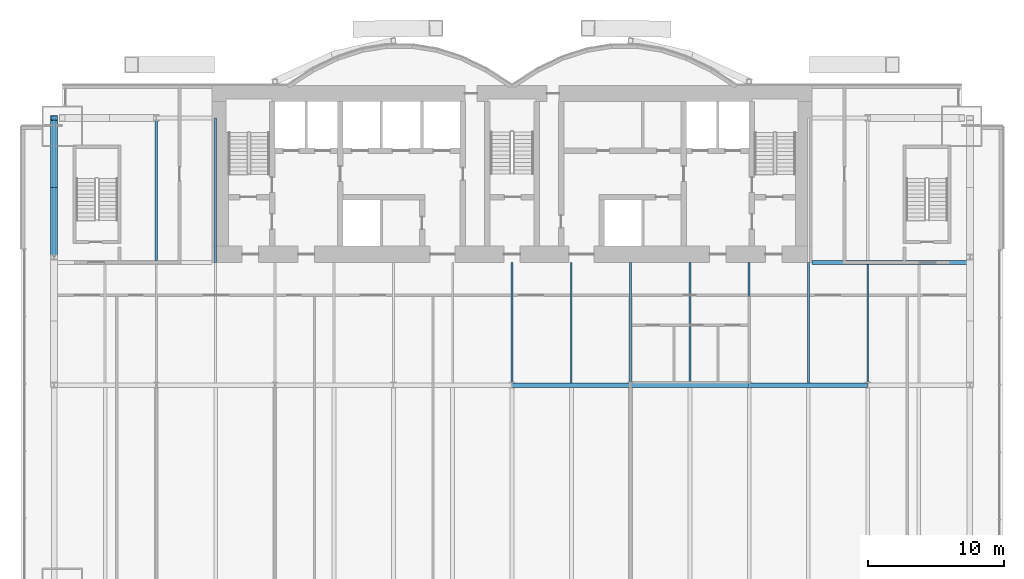
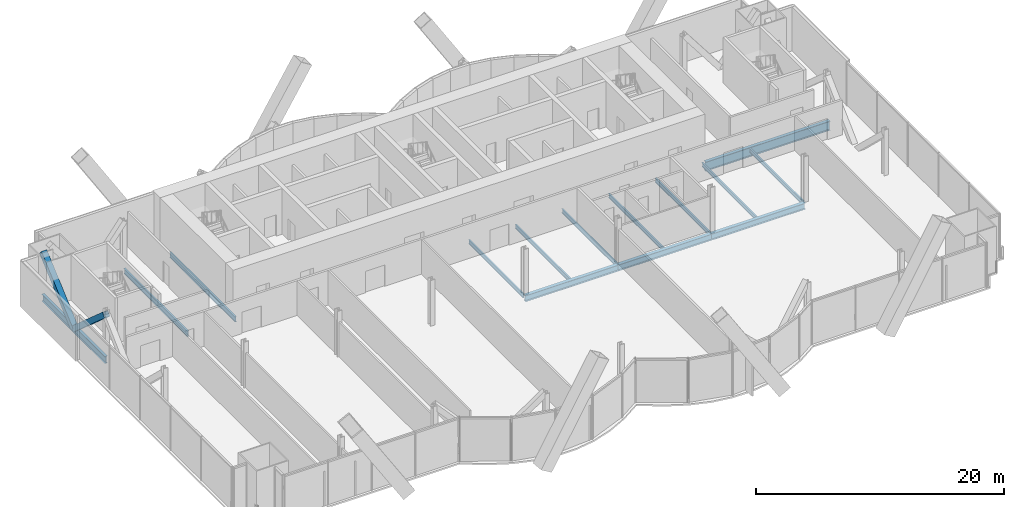
# One storey, part 10 of 22: 14 beams, 2 members.
"""IFC4 building model written with IfcOpenShell, lengths in metres."""

from ifc_helpers import new_model, si_unit, direction, frame, origin, origin_2d, place, context, subcontext, project, spatial, hollow_rectangle, i_section, extrude, material, material_profile, profile_set, type_object, element, save


model = new_model("IFC4")

# Units and contexts
model_context = context("Model", 3, precision=1e-05, world=origin(), true_north=direction((0.0, 1.0)))
body_context = subcontext(model_context, "Body", "Model", "MODEL_VIEW")
ifc_project = project(units=[si_unit("LENGTHUNIT", "METRE"), si_unit("AREAUNIT", "SQUARE_METRE"), si_unit("VOLUMEUNIT", "CUBIC_METRE"), si_unit("PLANEANGLEUNIT", "RADIAN"), si_unit("MASSUNIT", "GRAM", prefix="KILO")], contexts=[model_context])

# Site, building, storey
site_placement = place(None, origin())
site = spatial("IfcSite", under=ifc_project, at=site_placement, CompositionType="ELEMENT")
building_placement = place(site_placement, origin())
building = spatial("IfcBuilding", under=site, at=building_placement, Name="Bicima Exchange Tower", CompositionType="ELEMENT")
storey_placement = place(building_placement, frame((0.0, 0.0, 71.0)))
storey = spatial("IfcBuildingStorey", under=building, at=storey_placement, Name="L14", CompositionType="ELEMENT", Elevation=71.0)

# Beams
ifc_material_1 = material(Name="Steel ASTM A992 Gr 50", Category="steel")
ifc_material_profile_1 = material_profile(ifc_material_1, i_section(OverallWidth=0.3046875, OverallDepth=0.911865234375, WebThickness=0.015869140625, FlangeThickness=0.02392578125, at=origin_2d()))
ifc_profile_set_1 = profile_set([ifc_material_profile_1], Name="Steel ASTM A992 Gr 50")
beam_type_1 = type_object("IfcBeamType", Name="Core-line girder W36x150", PredefinedType="BEAM", material=ifc_profile_set_1)
beam_1_placement = place(storey_placement, frame((22.0, -13.0, -0.60595703125), z_axis=(1.0, 0.0, 0.0), x_axis=(0.0, 1.0, 0.0)))
element("IfcBeam", 1, at=beam_1_placement, inside=storey, type_object=beam_type_1, Name="Core-line girder", PredefinedType="BEAM", context=body_context, shape_type="SweptSolid", body=[
    extrude(i_section(OverallWidth=0.3046875, OverallDepth=0.911865234375, WebThickness=0.015869140625, FlangeThickness=0.02392578125, at=origin_2d()), origin(), (0.0, 0.0, 1.0), 11.60009765625),
])
ifc_material_profile_2 = material_profile(ifc_material_1, i_section(OverallWidth=0.256591796875, OverallDepth=0.693359375, WebThickness=0.014404296875, FlangeThickness=0.023681640625, at=origin_2d()))
ifc_profile_set_2 = profile_set([ifc_material_profile_2], Name="Steel ASTM A992 Gr 50")
beam_type_2 = type_object("IfcBeamType", Name="End girder W27x114", PredefinedType="BEAM", material=ifc_profile_set_2)
beam_2_placement = place(storey_placement, frame((-33.60009765625, -2.39990234375, -0.49658203125), z_axis=(0.0, -1.0, 0.0), x_axis=(1.0, 0.0, 0.0)))
element("IfcBeam", 2, at=beam_2_placement, inside=storey, type_object=beam_type_2, Name="End girder", PredefinedType="BEAM", context=body_context, shape_type="SweptSolid", body=[
    extrude(i_section(OverallWidth=0.256591796875, OverallDepth=0.693359375, WebThickness=0.014404296875, FlangeThickness=0.023681640625, at=origin_2d()), origin(), (0.0, 0.0, 1.0), 10.2001953125),
])
ifc_material_profile_3 = material_profile(ifc_material_1, i_section(OverallWidth=0.140380859375, OverallDepth=0.40380859375, WebThickness=0.007080078125, FlangeThickness=0.01123046875, at=origin_2d()))
ifc_profile_set_3 = profile_set([ifc_material_profile_3], Name="Steel ASTM A992 Gr 50")
beam_type_3 = type_object("IfcBeamType", Name="Floor beam W16x31", PredefinedType="JOIST", material=ifc_profile_set_3)
for number, where, z_axis, x_axis, name in (
    (3, (0.0, -13.0, -0.351806640625), (0.0, -1.0, 0.0), (1.0, 0.0, 0.0), "Floor beam"),
    (4, (4.35009765625, -13.0, -0.351806640625), (0.0, -1.0, 0.0), (1.0, 0.0, 0.0), "Floor beam"),
    (5, (8.699951171875, -13.0, -0.351806640625), (0.0, -1.0, 0.0), (1.0, 0.0, 0.0), "Floor beam"),
    (6, (13.050048828125, -13.0, -0.351806640625), (0.0, -1.0, 0.0), (1.0, 0.0, 0.0), "Floor beam"),
    (7, (17.39990234375, -13.0, -0.351806640625), (0.0, -1.0, 0.0), (1.0, 0.0, 0.0), "Floor beam"),
    (8, (21.75, -13.0, -0.351806640625), (0.0, -1.0, 0.0), (1.0, 0.0, 0.0), "Floor beam"),
):
    element("IfcBeam", number, at=place(storey_placement, frame(where, z_axis=z_axis, x_axis=x_axis)), inside=storey, type_object=beam_type_3, Name=name, PredefinedType="JOIST", context=body_context, shape_type="SweptSolid", body=[
        extrude(i_section(OverallWidth=0.140380859375, OverallDepth=0.40380859375, WebThickness=0.007080078125, FlangeThickness=0.01123046875, at=origin_2d()), origin(), (0.0, 0.0, 1.0), 8.83740234375),
    ])
beam_3_placement = place(storey_placement, frame((26.10009765625, -13.15234375, -0.351806640625), z_axis=(0.0, -1.0, 0.0), x_axis=(1.0, 0.0, 0.0)))
element("IfcBeam", 9, at=beam_3_placement, inside=storey, type_object=beam_type_3, Name="Floor beam", PredefinedType="JOIST", context=body_context, shape_type="SweptSolid", body=[
    extrude(i_section(OverallWidth=0.140380859375, OverallDepth=0.40380859375, WebThickness=0.007080078125, FlangeThickness=0.01123046875, at=origin_2d()), origin(), (0.0, 0.0, 1.0), 8.68505859375),
])
ifc_material_profile_4 = material_profile(ifc_material_1, i_section(OverallWidth=0.165771484375, OverallDepth=0.5283203125, WebThickness=0.009765625, FlangeThickness=0.013671875, at=origin_2d()))
ifc_profile_set_4 = profile_set([ifc_material_profile_4], Name="Steel ASTM A992 Gr 50")
beam_type_4 = type_object("IfcBeamType", Name="Floor beam W21x50", PredefinedType="JOIST", material=ifc_profile_set_4)
beam_4_placement = place(storey_placement, frame((-26.10009765625, -2.5625, -0.414306640625), z_axis=(0.0, -1.0, 0.0), x_axis=(1.0, 0.0, 0.0)))
element("IfcBeam", 10, at=beam_4_placement, inside=storey, type_object=beam_type_4, Name="Floor beam", PredefinedType="JOIST", context=body_context, shape_type="SweptSolid", body=[
    extrude(i_section(OverallWidth=0.165771484375, OverallDepth=0.5283203125, WebThickness=0.009765625, FlangeThickness=0.013671875, at=origin_2d()), origin(), (0.0, 0.0, 1.0), 10.28515625),
])
beam_5_placement = place(storey_placement, frame((-21.75, -2.39990234375, -0.414306640625), z_axis=(0.0, -1.0, 0.0), x_axis=(1.0, 0.0, 0.0)))
element("IfcBeam", 11, at=beam_5_placement, inside=storey, type_object=beam_type_4, Name="Floor beam", PredefinedType="JOIST", context=body_context, shape_type="SweptSolid", body=[
    extrude(i_section(OverallWidth=0.165771484375, OverallDepth=0.5283203125, WebThickness=0.009765625, FlangeThickness=0.013671875, at=origin_2d()), origin(), (0.0, 0.0, 1.0), 10.60009765625),
])

# Members
ifc_material_2 = material(Name="Steel ASTM A572 Gr 50", Category="steel")
ifc_material_profile_5 = material_profile(ifc_material_2, hollow_rectangle(XDim=0.508056640625, YDim=0.508056640625, WallThickness=0.017822265625, at=origin_2d()))
ifc_profile_set_5 = profile_set([ifc_material_profile_5], Name="Steel ASTM A572 Gr 50")
member_type = type_object("IfcMemberType", Name="Mega brace HSS20x20x3/4", PredefinedType="BRACE", material=ifc_profile_set_5)
for number, where, z_axis, x_axis, name in (
    (12, (-33.60009765625, -7.5, -0.49658203125), (0.0, -0.749844140428, 0.661614513948), (1.0, 0.0, 0.0), "Mega brace west end"),
    (13, (-33.60009765625, -7.5, -0.49658203125), (0.0, 0.749844140428, 0.661614513948), (-1.0, 0.0, 0.0), "Mega brace west end"),
):
    element("IfcMember", number, at=place(storey_placement, frame(where, z_axis=z_axis, x_axis=x_axis)), inside=storey, type_object=member_type, Name=name, PredefinedType="BRACE", context=body_context, shape_type="SweptSolid", body=[
        extrude(hollow_rectangle(XDim=0.508056640625, YDim=0.508056640625, WallThickness=0.017822265625, at=origin_2d()), origin(), (0.0, 0.0, 1.0), 6.801513671875),
    ])

# Beams
ifc_material_profile_6 = material_profile(ifc_material_1, i_section(OverallWidth=0.3251953125, OverallDepth=0.612060546875, WebThickness=0.0126953125, FlangeThickness=0.01904296875, at=origin_2d()))
ifc_profile_set_6 = profile_set([ifc_material_profile_6], Name="Steel ASTM A992 Gr 50")
beam_type_5 = type_object("IfcBeamType", Name="Row girder W24x104", PredefinedType="BEAM", material=ifc_profile_set_6)
for number, where, z_axis, x_axis, name in (
    (14, (0.0, -22.0, -0.4560546875), (1.0, 0.0, 0.0), (0.0, 1.0, 0.0), "Row girder"),
    (15, (8.699951171875, -22.0, -0.4560546875), (1.0, 0.0, 0.0), (0.0, 1.0, 0.0), "Row girder"),
):
    element("IfcBeam", number, at=place(storey_placement, frame(where, z_axis=z_axis, x_axis=x_axis)), inside=storey, type_object=beam_type_5, Name=name, PredefinedType="BEAM", context=body_context, shape_type="SweptSolid", body=[
        extrude(i_section(OverallWidth=0.3251953125, OverallDepth=0.612060546875, WebThickness=0.0126953125, FlangeThickness=0.01904296875, at=origin_2d()), origin(), (0.0, 0.0, 1.0), 8.699951171875),
    ])
beam_6_placement = place(storey_placement, frame((17.39990234375, -22.0, -0.4560546875), z_axis=(1.0, 0.0, 0.0), x_axis=(0.0, 1.0, 0.0)))
element("IfcBeam", 16, at=beam_6_placement, inside=storey, type_object=beam_type_5, Name="Row girder", PredefinedType="BEAM", context=body_context, shape_type="SweptSolid", body=[
    extrude(i_section(OverallWidth=0.3251953125, OverallDepth=0.612060546875, WebThickness=0.0126953125, FlangeThickness=0.01904296875, at=origin_2d()), origin(), (0.0, 0.0, 1.0), 8.7001953125),
])

save(model, "model.ifc")
